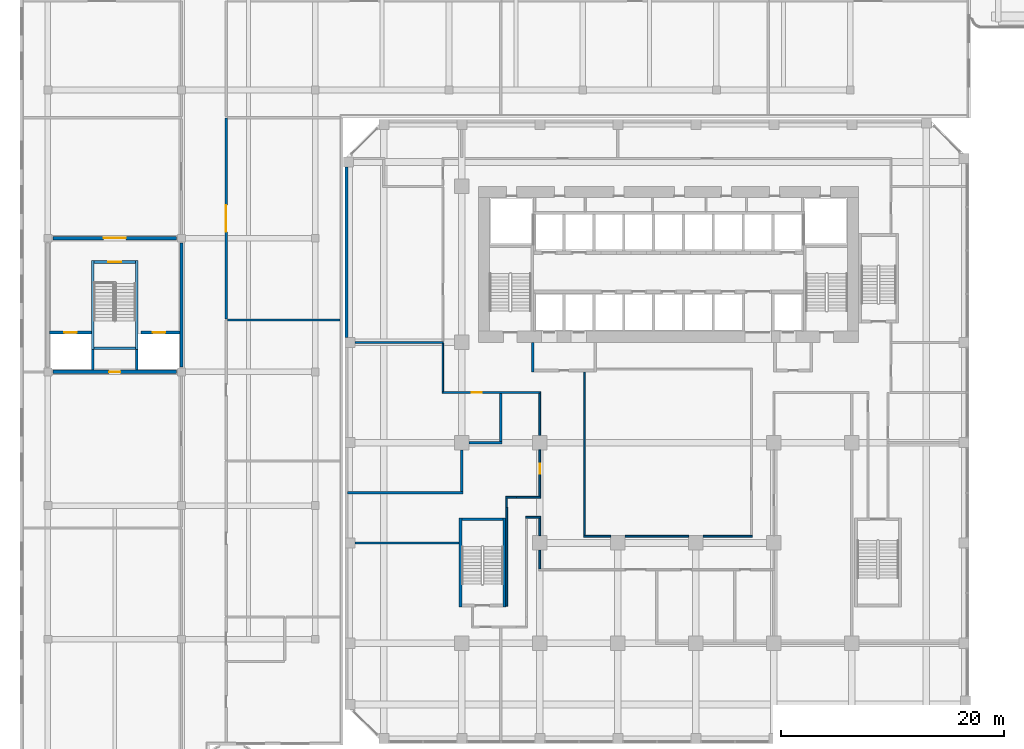
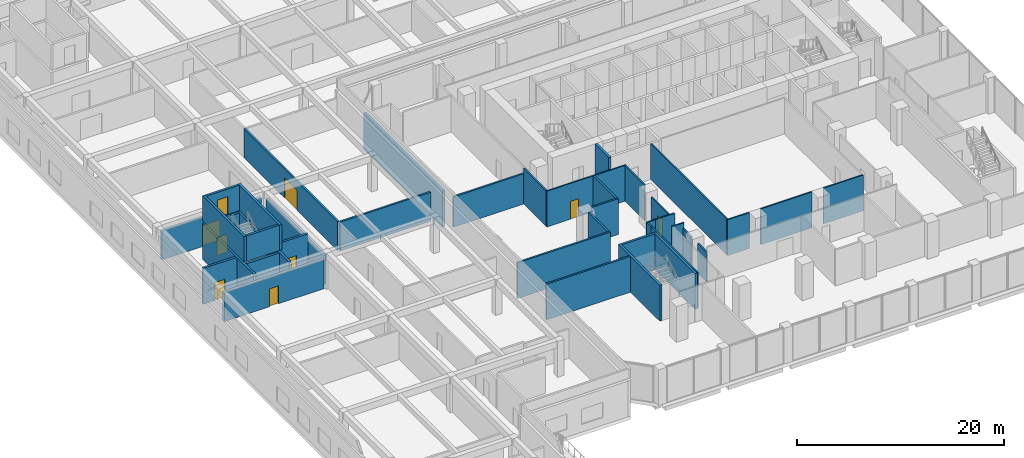
# One storey, part 16 of 35: 41 walls, 9 doors, 9 openings.
"""IFC4 building model written with IfcOpenShell, lengths in metres."""

from ifc_helpers import new_model, si_unit, direction, frame, frame_2d, origin, place, context, subcontext, project, spatial, rectangle, extrude, source, transform, mapped, material, layer, layer_set, type_object, element, fill, save


model = new_model("IFC4")

# Units and contexts
model_context = context("Model", 3, precision=1e-05, world=origin(), true_north=direction((0.0, 1.0)))
body_context = subcontext(model_context, "Body", "Model", "MODEL_VIEW")
ifc_project = project(units=[si_unit("LENGTHUNIT", "METRE"), si_unit("AREAUNIT", "SQUARE_METRE"), si_unit("VOLUMEUNIT", "CUBIC_METRE"), si_unit("PLANEANGLEUNIT", "RADIAN"), si_unit("MASSUNIT", "GRAM", prefix="KILO")], contexts=[model_context])

# Site, building, storey
site_placement = place(None, origin())
site = spatial("IfcSite", under=ifc_project, at=site_placement, CompositionType="ELEMENT")
building_placement = place(site_placement, origin())
building = spatial("IfcBuilding", under=site, at=building_placement, Name="Kilnfold Tower and Market Hall", CompositionType="ELEMENT")
storey_placement = place(building_placement, frame((0.0, 0.0, 22.5)))
storey = spatial("IfcBuildingStorey", under=building, at=storey_placement, Name="L04", CompositionType="ELEMENT", Elevation=22.5)

# Wall, opening, door
ifc_material_1 = material(Name="Gypsum board on steel studs", Category="steel")
ifc_layer_1 = layer(ifc_material_1, 0.14990234375)
ifc_layer_set_1 = layer_set([ifc_layer_1], Name="Gypsum board on steel studs")
wall_type_1 = type_object("IfcWallType", Name="WALL CORRIDOR 150", PredefinedType="PARTITIONING", material=ifc_layer_set_1)
wall_1_placement = place(storey_placement, frame((-19.27490234375, 3.5, 0.0), z_axis=(0.0, 0.0, 1.0), x_axis=(1.0, 0.0, 0.0)))
wall_1 = element("IfcWall", 1, at=wall_1_placement, inside=storey, type_object=wall_type_1, Name="Partition LY05.1", PredefinedType="PARTITIONING", context=body_context, shape_type="SweptSolid", body=[
    extrude(rectangle(XDim=8.849853515625, YDim=0.14990234375, at=frame_2d((4.4248046875, 0.0))), origin(), (0.0, 0.0, 1.0), 4.219970703125),
])
opening_1_placement = place(wall_1_placement, frame((2.652099609375, 0.0, 0.0)))
opening_1 = element("IfcOpeningElement", 2, at=opening_1_placement, cuts=wall_1, Name="Opening D2", PredefinedType="OPENING", context=body_context, shape_type="SweptSolid", body=[
    extrude(rectangle(XDim=0.89990234375, YDim=2.10009765625, at=frame_2d((0.449951171875, 1.050048828125))), frame((0.0, 0.0849609375, 0.0), z_axis=(0.0, -1.0, 0.0), x_axis=(1.0, 0.0, 0.0)), (0.0, 0.0, 1.0), 0.169921875),
])
ifc_material_2 = material(Name="Timber veneer door leaf in steel frame", Category="steel")
door_type_1 = type_object("IfcDoorType", Name="DOOR ROOM 900 X2100", OperationType="NOTDEFINED", PredefinedType="DOOR", material=ifc_material_2)
door_1_placement = place(opening_1_placement, origin())
door_1 = element("IfcDoor", 3, at=door_1_placement, inside=storey, type_object=door_type_1, Name="Door D2", OperationType="SINGLE_SWING_LEFT", OverallHeight=2.10009765625, OverallWidth=0.89990234375, PredefinedType="DOOR", context=body_context, shape_type="SweptSolid", body=[
    extrude(rectangle(XDim=0.89990234375, YDim=2.10009765625, at=frame_2d((0.449951171875, 1.050048828125))), frame((0.0, 0.02490234375, 0.0), z_axis=(0.0, -1.0, 0.0), x_axis=(1.0, 0.0, 0.0)), (0.0, 0.0, 1.0), 0.050048828125),
])
fill(opening_1, door_1)

# Walls
wall_2_placement = place(storey_placement, frame((-19.199951171875, 3.574951171875, 0.0), z_axis=(0.0, 0.0, 1.0), x_axis=(0.0, 1.0, 0.0)))
element("IfcWall", 4, at=wall_2_placement, inside=storey, type_object=wall_type_1, Name="Partition LY05.2", PredefinedType="PARTITIONING", context=body_context, shape_type="SweptSolid", body=[
    extrude(rectangle(XDim=4.3349609375, YDim=0.14990234375, at=frame_2d((2.16748046875, 0.0))), origin(), (0.0, 0.0, 1.0), 4.219970703125),
])
wall_3_placement = place(storey_placement, frame((-12.597900390625, -5.89794921875, 0.0), z_axis=(0.0, 0.0, 1.0), x_axis=(-1.0, 0.0, 0.0)))
element("IfcWall", 5, at=wall_3_placement, inside=storey, type_object=wall_type_1, Name="Partition LY05.3", PredefinedType="PARTITIONING", context=body_context, shape_type="SweptSolid", body=[
    extrude(rectangle(XDim=0.97900390625, YDim=0.14990234375, at=frame_2d((0.489501953125, 0.0))), origin(), (0.0, 0.0, 1.0), 4.219970703125),
])
wall_4_placement = place(storey_placement, frame((-10.425048828125, -5.89990234375, 0.0), z_axis=(0.0, 0.0, 1.0), x_axis=(-1.0, 0.0, 0.0)))
element("IfcWall", 6, at=wall_4_placement, inside=storey, type_object=wall_type_1, Name="Partition LY05.4", PredefinedType="PARTITIONING", context=body_context, shape_type="SweptSolid", body=[
    extrude(rectangle(XDim=2.1728515625, YDim=0.14990234375, at=frame_2d((1.08642578125, 0.0))), origin(), (0.0, 0.0, 1.0), 4.219970703125),
])

# Wall, opening, door
wall_5_placement = place(storey_placement, frame((-10.5, -5.824951171875, 0.0), z_axis=(0.0, 0.0, 1.0), x_axis=(0.0, 1.0, 0.0)))
wall_5 = element("IfcWall", 7, at=wall_5_placement, inside=storey, type_object=wall_type_1, Name="Partition LY05.5", PredefinedType="PARTITIONING", context=body_context, shape_type="SweptSolid", body=[
    extrude(rectangle(XDim=4.175048828125, YDim=0.14990234375, at=frame_2d((2.08740234375, 0.0))), origin(), (0.0, 0.0, 1.0), 3.570068359375),
])
opening_2_placement = place(wall_5_placement, frame((2.048095703125, 0.0, 0.0)))
opening_2 = element("IfcOpeningElement", 8, at=opening_2_placement, cuts=wall_5, Name="Opening D2", PredefinedType="OPENING", context=body_context, shape_type="SweptSolid", body=[
    extrude(rectangle(XDim=0.89990234375, YDim=2.10009765625, at=frame_2d((0.449951171875, 1.050048828125))), frame((0.0, 0.0849609375, 0.0), z_axis=(0.0, -1.0, 0.0), x_axis=(1.0, 0.0, 0.0)), (0.0, 0.0, 1.0), 0.169921875),
])
door_2_placement = place(opening_2_placement, origin())
door_2 = element("IfcDoor", 9, at=door_2_placement, inside=storey, type_object=door_type_1, Name="Door D2", OperationType="SINGLE_SWING_LEFT", OverallHeight=2.10009765625, OverallWidth=0.89990234375, PredefinedType="DOOR", context=body_context, shape_type="SweptSolid", body=[
    extrude(rectangle(XDim=0.89990234375, YDim=2.10009765625, at=frame_2d((0.449951171875, 1.050048828125))), frame((0.0, 0.02490234375, 0.0), z_axis=(0.0, -1.0, 0.0), x_axis=(1.0, 0.0, 0.0)), (0.0, 0.0, 1.0), 0.050048828125),
])
fill(opening_2, door_2)

# Walls
wall_6_placement = place(storey_placement, frame((-10.5, -0.35009765625, 0.0), z_axis=(0.0, 0.0, 1.0), x_axis=(0.0, 1.0, 0.0)))
element("IfcWall", 10, at=wall_6_placement, inside=storey, type_object=wall_type_1, Name="Partition LY05.6", PredefinedType="PARTITIONING", context=body_context, shape_type="SweptSolid", body=[
    extrude(rectangle(XDim=3.775146484375, YDim=0.14990234375, at=frame_2d((1.8876953125, 0.0))), origin(), (0.0, 0.0, 1.0), 4.219970703125),
])
wall_7_placement = place(storey_placement, frame((-13.469970703125, -6.802001953125, 0.0), z_axis=(0.0, 0.0, 1.0), x_axis=(0.0, -1.0, 0.0)))
element("IfcWall", 11, at=wall_7_placement, inside=storey, type_object=wall_type_1, Name="Partition LY05.7", PredefinedType="PARTITIONING", context=body_context, shape_type="SweptSolid", body=[
    extrude(rectangle(XDim=8.873046875, YDim=0.14990234375, at=frame_2d((4.4365234375, 0.0))), origin(), (0.0, 0.0, 1.0), 4.219970703125),
])
wall_8_placement = place(storey_placement, frame((-13.501953125, -5.972900390625, 0.0), z_axis=(0.0, 0.0, 1.0), x_axis=(0.0, -1.0, 0.0)))
element("IfcWall", 12, at=wall_8_placement, inside=storey, type_object=wall_type_1, Name="Partition LY05.8", PredefinedType="PARTITIONING", context=body_context, shape_type="SweptSolid", body=[
    extrude(rectangle(XDim=0.8291015625, YDim=0.14990234375, at=frame_2d((0.41455078125, 0.0))), origin(), (0.0, 0.0, 1.0), 4.219970703125),
])
wall_9_placement = place(storey_placement, frame((-10.5, -12.324951171875, 0.0), z_axis=(0.0, 0.0, 1.0), x_axis=(0.0, 1.0, 0.0)))
element("IfcWall", 13, at=wall_9_placement, inside=storey, type_object=wall_type_1, Name="Partition LY05.10", PredefinedType="PARTITIONING", context=body_context, shape_type="SweptSolid", body=[
    extrude(rectangle(XDim=1.675048828125, YDim=0.14990234375, at=frame_2d((0.83740234375, 0.0))), origin(), (0.0, 0.0, 1.0), 3.570068359375),
])
wall_10_placement = place(storey_placement, frame((-10.5, -9.35009765625, 0.0), z_axis=(0.0, 0.0, 1.0), x_axis=(0.0, 1.0, 0.0)))
element("IfcWall", 14, at=wall_10_placement, inside=storey, type_object=wall_type_1, Name="Partition LY05.11", PredefinedType="PARTITIONING", context=body_context, shape_type="SweptSolid", body=[
    extrude(rectangle(XDim=1.5751953125, YDim=0.14990234375, at=frame_2d((0.78759765625, 0.0))), origin(), (0.0, 0.0, 1.0), 3.570068359375),
])
wall_11_placement = place(storey_placement, frame((-11.77490234375, -7.699951171875, 0.0), z_axis=(0.0, 0.0, 1.0), x_axis=(1.0, 0.0, 0.0)))
element("IfcWall", 15, at=wall_11_placement, inside=storey, type_object=wall_type_1, Name="Partition LY05.12", PredefinedType="PARTITIONING", context=body_context, shape_type="SweptSolid", body=[
    extrude(rectangle(XDim=1.349853515625, YDim=0.14990234375, at=frame_2d((0.6748046875, 0.0))), origin(), (0.0, 0.0, 1.0), 4.219970703125),
])
wall_12_placement = place(storey_placement, frame((-6.5, -9.324951171875, 0.0), z_axis=(0.0, 0.0, 1.0), x_axis=(0.0, 1.0, 0.0)))
element("IfcWall", 16, at=wall_12_placement, inside=storey, type_object=wall_type_1, Name="Partition LY05.32", PredefinedType="PARTITIONING", context=body_context, shape_type="SweptSolid", body=[
    extrude(rectangle(XDim=14.675048828125, YDim=0.14990234375, at=frame_2d((7.33740234375, 0.0))), origin(), (0.0, 0.0, 1.0), 4.219970703125),
])
wall_13_placement = place(storey_placement, frame((-6.574951171875, -9.39990234375, 0.0), z_axis=(0.0, 0.0, 1.0), x_axis=(1.0, 0.0, 0.0)))
element("IfcWall", 17, at=wall_13_placement, inside=storey, type_object=wall_type_1, Name="Partition LY05.33", PredefinedType="PARTITIONING", context=body_context, shape_type="SweptSolid", body=[
    extrude(rectangle(XDim=2.425048828125, YDim=0.14990234375, at=frame_2d((1.21240234375, 0.0))), origin(), (0.0, 0.0, 1.0), 4.219970703125),
])
wall_14_placement = place(storey_placement, frame((-2.85009765625, -9.39990234375, 0.0), z_axis=(0.0, 0.0, 1.0), x_axis=(1.0, 0.0, 0.0)))
element("IfcWall", 18, at=wall_14_placement, inside=storey, type_object=wall_type_1, Name="Partition LY05.34", PredefinedType="PARTITIONING", context=body_context, shape_type="SweptSolid", body=[
    extrude(rectangle(XDim=5.7001953125, YDim=0.14990234375, at=frame_2d((2.85009765625, 0.0))), origin(), (0.0, 0.0, 1.0), 4.219970703125),
])
wall_15_placement = place(storey_placement, frame((4.14990234375, -9.39990234375, 0.0), z_axis=(0.0, 0.0, 1.0), x_axis=(1.0, 0.0, 0.0)))
element("IfcWall", 19, at=wall_15_placement, inside=storey, type_object=wall_type_1, Name="Partition LY05.35", PredefinedType="PARTITIONING", context=body_context, shape_type="SweptSolid", body=[
    extrude(rectangle(XDim=4.425048828125, YDim=0.14990234375, at=frame_2d((2.21240234375, 0.0))), origin(), (0.0, 0.0, 1.0), 4.219970703125),
])
ifc_material_3 = material(Name="Gypsum board on steel studs", Category="steel")
ifc_layer_2 = layer(ifc_material_3, 0.199951171875)
ifc_layer_set_2 = layer_set([ifc_layer_2], Name="Gypsum board on steel studs")
wall_type_2 = type_object("IfcWallType", Name="WALL PARTY 200", PredefinedType="PARTITIONING", material=ifc_layer_set_2)
wall_16_placement = place(storey_placement, frame((-14.0, -0.89990234375, 0.0), z_axis=(0.0, 0.0, 1.0), x_axis=(0.0, 1.0, 0.0)))
element("IfcWall", 20, at=wall_16_placement, inside=storey, type_object=wall_type_2, Name="Partition LY05.38", PredefinedType="PARTITIONING", context=body_context, shape_type="SweptSolid", body=[
    extrude(rectangle(XDim=4.323974609375, YDim=0.199951171875, at=frame_2d((2.162109375, 0.0))), origin(), (0.0, 0.0, 1.0), 4.219970703125),
])
wall_17_placement = place(storey_placement, frame((-16.85009765625, -1.0, 0.0), z_axis=(0.0, 0.0, 1.0), x_axis=(1.0, 0.0, 0.0)))
element("IfcWall", 21, at=wall_17_placement, inside=storey, type_object=wall_type_2, Name="Partition LY05.39", PredefinedType="PARTITIONING", context=body_context, shape_type="SweptSolid", body=[
    extrude(rectangle(XDim=2.9501953125, YDim=0.199951171875, at=frame_2d((1.47509765625, 0.0))), origin(), (0.0, 0.0, 1.0), 4.219970703125),
])
wall_18_placement = place(storey_placement, frame((-17.5, -5.39990234375, 0.0), z_axis=(0.0, 0.0, 1.0), x_axis=(0.0, 1.0, 0.0)))
element("IfcWall", 22, at=wall_18_placement, inside=storey, type_object=wall_type_2, Name="Partition LY05.40", PredefinedType="PARTITIONING", context=body_context, shape_type="SweptSolid", body=[
    extrude(rectangle(XDim=3.75, YDim=0.199951171875, at=frame_2d((1.875, 0.0))), origin(), (0.0, 0.0, 1.0), 4.219970703125),
])
wall_19_placement = place(storey_placement, frame((-27.75, -5.5, 0.0), z_axis=(0.0, 0.0, 1.0), x_axis=(1.0, 0.0, 0.0)))
element("IfcWall", 23, at=wall_19_placement, inside=storey, type_object=wall_type_2, Name="Partition LY05.41", PredefinedType="PARTITIONING", context=body_context, shape_type="SweptSolid", body=[
    extrude(rectangle(XDim=10.35009765625, YDim=0.199951171875, at=frame_2d((5.175048828125, 0.0))), origin(), (0.0, 0.0, 1.0), 4.219970703125),
])
wall_20_placement = place(storey_placement, frame((-27.10009765625, 8.0, 0.0), z_axis=(0.0, 0.0, 1.0), x_axis=(1.0, 0.0, 0.0)))
element("IfcWall", 24, at=wall_20_placement, inside=storey, type_object=wall_type_2, Name="Partition LY05.42", PredefinedType="PARTITIONING", context=body_context, shape_type="SweptSolid", body=[
    extrude(rectangle(XDim=7.97412109375, YDim=0.199951171875, at=frame_2d((3.987060546875, 0.0))), origin(), (0.0, 0.0, 1.0), 3.570068359375),
])
wall_21_placement = place(storey_placement, frame((-27.10009765625, -10.0, 0.0), z_axis=(0.0, 0.0, 1.0), x_axis=(1.0, 0.0, 0.0)))
element("IfcWall", 25, at=wall_21_placement, inside=storey, type_object=wall_type_2, Name="Partition LY05.43", PredefinedType="PARTITIONING", context=body_context, shape_type="SweptSolid", body=[
    extrude(rectangle(XDim=9.35009765625, YDim=0.199951171875, at=frame_2d((4.675048828125, 0.0))), origin(), (0.0, 0.0, 1.0), 4.219970703125),
])
ifc_material_4 = material(Name="Concrete C80", Category="concrete")
ifc_layer_3 = layer(ifc_material_4, 0.25)
ifc_layer_set_3 = layer_set([ifc_layer_3], Name="Concrete C80")
wall_type_3 = type_object("IfcWallType", Name="CORE WALL 250 C80", PredefinedType="SHEAR", material=ifc_layer_set_3)
shared_shape_1 = source(origin(), body_context, "Body", "SweptSolid", [
    extrude(rectangle(XDim=3.699951171875, YDim=0.25, at=frame_2d((1.85009765625, 0.0))), origin(), (0.0, 0.0, 1.0), 4.219970703125),
])
wall_22_placement = place(storey_placement, frame((-17.5, -7.875, 0.0), z_axis=(0.0, 0.0, 1.0), x_axis=(1.0, 0.0, 0.0)))
element("IfcWall", 26, at=wall_22_placement, inside=storey, type_object=wall_type_3, Name="Stair enclosure ST3", PredefinedType="SHEAR", context=body_context, shape_type="MappedRepresentation", body=[
    mapped(shared_shape_1, transform((0.0, 0.0, 0.0))),
])
ifc_material_5 = material(Name="Concrete C50/60", Category="concrete")
ifc_layer_4 = layer(ifc_material_5, 0.25)
ifc_layer_set_4 = layer_set([ifc_layer_4], Name="Concrete C50/60")
wall_type_4 = type_object("IfcWallType", Name="HALL CORE WALL 250", PredefinedType="SHEAR", material=ifc_layer_set_4)
wall_23_placement = place(storey_placement, frame((-50.5, 7.47509765625, 0.0), z_axis=(0.0, 0.0, 1.0), x_axis=(1.0, 0.0, 0.0)))
element("IfcWall", 27, at=wall_23_placement, inside=storey, type_object=wall_type_4, Name="Core wall MH1", PredefinedType="SHEAR", context=body_context, shape_type="MappedRepresentation", body=[
    mapped(shared_shape_1, transform((0.0, 0.0, 0.0))),
])

# Wall, opening, door
wall_24_placement = place(storey_placement, frame((-50.5, 15.22509765625, 0.0), z_axis=(0.0, 0.0, 1.0), x_axis=(1.0, 0.0, 0.0)))
wall_24 = element("IfcWall", 28, at=wall_24_placement, inside=storey, type_object=wall_type_4, Name="Core wall MH1", PredefinedType="SHEAR", context=body_context, shape_type="MappedRepresentation", body=[
    mapped(shared_shape_1, transform((0.0, 0.0, 0.0))),
])
opening_3_placement = place(wall_24_placement, frame((1.25, 0.0, 0.0)))
opening_3 = element("IfcOpeningElement", 29, at=opening_3_placement, cuts=wall_24, Name="Opening MD9-60", PredefinedType="OPENING", context=body_context, shape_type="SweptSolid", body=[
    extrude(rectangle(XDim=1.199951171875, YDim=2.10009765625, at=frame_2d((0.60009765625, 1.050048828125))), frame((0.0, 0.135009765625, 0.0), z_axis=(0.0, -1.0, 0.0), x_axis=(1.0, 0.0, 0.0)), (0.0, 0.0, 1.0), 0.27001953125),
])
ifc_material_6 = material(Name="Steel S355", Category="steel")
door_type_2 = type_object("IfcDoorType", Name="HALL DOOR STAIR 1200X2100 FD60", OperationType="NOTDEFINED", PredefinedType="DOOR", material=ifc_material_6)
door_3_placement = place(opening_3_placement, origin())
door_3 = element("IfcDoor", 30, at=door_3_placement, inside=storey, type_object=door_type_2, Name="Door MD9-60", OperationType="DOUBLE_DOOR_SINGLE_SWING", OverallHeight=2.10009765625, OverallWidth=1.199951171875, PredefinedType="DOOR", context=body_context, shape_type="SweptSolid", body=[
    extrude(rectangle(XDim=1.199951171875, YDim=2.10009765625, at=frame_2d((0.60009765625, 1.050048828125))), frame((0.0, 0.02490234375, 0.0), z_axis=(0.0, -1.0, 0.0), x_axis=(1.0, 0.0, 0.0)), (0.0, 0.0, 1.0), 0.050048828125),
])
fill(opening_3, door_3)

# Walls
shared_shape_2 = source(origin(), body_context, "Body", "SweptSolid", [
    extrude(rectangle(XDim=8.0, YDim=0.25, at=frame_2d((4.0, 0.0))), origin(), (0.0, 0.0, 1.0), 4.219970703125),
])
for number, where, z_axis, x_axis, name in (
    (31, (-17.625, -15.75, 0.0), (0.0, 0.0, 1.0), (0.0, 1.0, 0.0), "Stair enclosure ST3"),
    (32, (-13.675048828125, -15.75, 0.0), (0.0, 0.0, 1.0), (0.0, 1.0, 0.0), "Stair enclosure ST3"),
):
    element("IfcWall", number, at=place(storey_placement, frame(where, z_axis=z_axis, x_axis=x_axis)), inside=storey, type_object=wall_type_3, Name=name, PredefinedType="SHEAR", context=body_context, shape_type="MappedRepresentation", body=[
        mapped(shared_shape_2, transform((0.0, 0.0, 0.0))),
    ])

# Wall, opening, door
ifc_material_7 = material(Name="Concrete C50/60", Category="concrete")
ifc_layer_5 = layer(ifc_material_7, 0.300048828125)
ifc_layer_set_5 = layer_set([ifc_layer_5], Name="Concrete C50/60")
wall_type_5 = type_object("IfcWallType", Name="HALL CORE WALL 300", PredefinedType="SHEAR", material=ifc_layer_set_5)
shared_shape_3 = source(origin(), body_context, "Body", "SweptSolid", [
    extrude(rectangle(XDim=11.099853515625, YDim=0.300048828125, at=frame_2d((5.5498046875, 0.0))), origin(), (0.0, 0.0, 1.0), 3.419921875),
])
wall_25_placement = place(storey_placement, frame((-54.199951171875, 5.35009765625, 0.0), z_axis=(0.0, 0.0, 1.0), x_axis=(1.0, 0.0, 0.0)))
wall_25 = element("IfcWall", 33, at=wall_25_placement, inside=storey, type_object=wall_type_5, Name="Core wall MH1", PredefinedType="SHEAR", context=body_context, shape_type="MappedRepresentation", body=[
    mapped(shared_shape_3, transform((0.0, 0.0, 0.0))),
])
opening_4_placement = place(wall_25_placement, frame((5.050048828125, 0.0, 0.0)))
opening_4 = element("IfcOpeningElement", 34, at=opening_4_placement, cuts=wall_25, Name="Opening MD4-60", PredefinedType="OPENING", context=body_context, shape_type="SweptSolid", body=[
    extrude(rectangle(XDim=1.0, YDim=2.10009765625, at=frame_2d((0.5, 1.050048828125))), frame((0.0, 0.16015625, 0.0), z_axis=(0.0, -1.0, 0.0), x_axis=(1.0, 0.0, 0.0)), (0.0, 0.0, 1.0), 0.320068359375),
])
ifc_material_8 = material(Name="Steel S355", Category="steel")
door_type_3 = type_object("IfcDoorType", Name="HALL DOOR RISER 1000X2100 FD60", OperationType="NOTDEFINED", PredefinedType="DOOR", material=ifc_material_8)
door_4_placement = place(opening_4_placement, origin())
door_4 = element("IfcDoor", 35, at=door_4_placement, inside=storey, type_object=door_type_3, Name="Door MD4-60", OperationType="SINGLE_SWING_RIGHT", OverallHeight=2.10009765625, OverallWidth=1.0, PredefinedType="DOOR", context=body_context, shape_type="SweptSolid", body=[
    extrude(rectangle(XDim=1.0, YDim=2.10009765625, at=frame_2d((0.5, 1.050048828125))), frame((0.0, 0.02490234375, 0.0), z_axis=(0.0, -1.0, 0.0), x_axis=(1.0, 0.0, 0.0)), (0.0, 0.0, 1.0), 0.050048828125),
])
fill(opening_4, door_4)

wall_26_placement = place(storey_placement, frame((-54.199951171875, 17.35009765625, 0.0), z_axis=(0.0, 0.0, 1.0), x_axis=(1.0, 0.0, 0.0)))
wall_26 = element("IfcWall", 36, at=wall_26_placement, inside=storey, type_object=wall_type_5, Name="Core wall MH1", PredefinedType="SHEAR", context=body_context, shape_type="MappedRepresentation", body=[
    mapped(shared_shape_3, transform((0.0, 0.0, 0.0))),
])
opening_5_placement = place(wall_26_placement, frame((4.550048828125, 0.0, 0.0)))
opening_5 = element("IfcOpeningElement", 37, at=opening_5_placement, cuts=wall_26, Name="Opening MD10-60", PredefinedType="OPENING", context=body_context, shape_type="SweptSolid", body=[
    extrude(rectangle(XDim=2.0, YDim=2.39990234375, at=frame_2d((1.0, 1.199951171875))), frame((0.0, 0.16015625, 0.0), z_axis=(0.0, -1.0, 0.0), x_axis=(1.0, 0.0, 0.0)), (0.0, 0.0, 1.0), 0.320068359375),
])
ifc_material_9 = material(Name="Aluminium glazing", Category="aluminium")
door_type_4 = type_object("IfcDoorType", Name="HALL DOOR LOBBY 2000X2400 FD60", OperationType="NOTDEFINED", PredefinedType="DOOR", material=ifc_material_9)
door_5_placement = place(opening_5_placement, origin())
door_5 = element("IfcDoor", 38, at=door_5_placement, inside=storey, type_object=door_type_4, Name="Door MD10-60", OperationType="DOUBLE_DOOR_SINGLE_SWING", OverallHeight=2.39990234375, OverallWidth=2.0, PredefinedType="DOOR", context=body_context, shape_type="SweptSolid", body=[
    extrude(rectangle(XDim=2.0, YDim=2.39990234375, at=frame_2d((1.0, 1.199951171875))), frame((0.0, 0.02490234375, 0.0), z_axis=(0.0, -1.0, 0.0), x_axis=(1.0, 0.0, 0.0)), (0.0, 0.0, 1.0), 0.050048828125),
])
fill(opening_5, door_5)

# Walls
wall_27_placement = place(storey_placement, frame((-42.64990234375, 5.800048828125, 0.0), z_axis=(0.0, 0.0, 1.0), x_axis=(0.0, 1.0, 0.0)))
element("IfcWall", 39, at=wall_27_placement, inside=storey, type_object=wall_type_5, Name="Core wall MH1", PredefinedType="SHEAR", context=body_context, shape_type="MappedRepresentation", body=[
    mapped(shared_shape_3, transform((0.0, 0.0, 0.0))),
])
shared_shape_4 = source(origin(), body_context, "Body", "SweptSolid", [
    extrude(rectangle(XDim=9.85009765625, YDim=0.25, at=frame_2d((4.925048828125, 0.0))), origin(), (0.0, 0.0, 1.0), 4.219970703125),
])
for number, where, z_axis, x_axis, name in (
    (40, (-50.625, 5.5, 0.0), (0.0, 0.0, 1.0), (0.0, 1.0, 0.0), "Core wall MH1"),
    (41, (-46.675048828125, 5.5, 0.0), (0.0, 0.0, 1.0), (0.0, 1.0, 0.0), "Core wall MH1"),
):
    element("IfcWall", number, at=place(storey_placement, frame(where, z_axis=z_axis, x_axis=x_axis)), inside=storey, type_object=wall_type_4, Name=name, PredefinedType="SHEAR", context=body_context, shape_type="MappedRepresentation", body=[
        mapped(shared_shape_4, transform((0.0, 0.0, 0.0))),
    ])

# Wall, opening, door
shared_shape_5 = source(origin(), body_context, "Body", "SweptSolid", [
    extrude(rectangle(XDim=3.75, YDim=0.25, at=frame_2d((1.875, 0.0))), origin(), (0.0, 0.0, 1.0), 4.219970703125),
])
wall_28_placement = place(storey_placement, frame((-54.5, 8.875, 0.0), z_axis=(0.0, 0.0, 1.0), x_axis=(1.0, 0.0, 0.0)))
wall_28 = element("IfcWall", 42, at=wall_28_placement, inside=storey, type_object=wall_type_4, Name="Core wall MH1", PredefinedType="SHEAR", context=body_context, shape_type="MappedRepresentation", body=[
    mapped(shared_shape_5, transform((0.0, 0.0, 0.0))),
])
opening_6_placement = place(wall_28_placement, frame((1.324951171875, 0.0, 0.0)))
opening_6 = element("IfcOpeningElement", 43, at=opening_6_placement, cuts=wall_28, Name="Opening LD", PredefinedType="OPENING", context=body_context, shape_type="SweptSolid", body=[
    extrude(rectangle(XDim=1.10009765625, YDim=2.10009765625, at=frame_2d((0.550048828125, 1.050048828125))), frame((0.0, 0.135009765625, 0.0), z_axis=(0.0, -1.0, 0.0), x_axis=(1.0, 0.0, 0.0)), (0.0, 0.0, 1.0), 0.27001953125),
])
ifc_material_10 = material(Name="Steel S355", Category="steel")
door_type_5 = type_object("IfcDoorType", Name="HALL LANDING DOOR 1100X2100 FD60", OperationType="NOTDEFINED", PredefinedType="DOOR", material=ifc_material_10)
door_6_placement = place(opening_6_placement, origin())
door_6 = element("IfcDoor", 44, at=door_6_placement, inside=storey, type_object=door_type_5, Name="Door LD", OperationType="SLIDING_TO_LEFT", OverallHeight=2.10009765625, OverallWidth=1.10009765625, PredefinedType="DOOR", context=body_context, shape_type="SweptSolid", body=[
    extrude(rectangle(XDim=1.10009765625, YDim=2.10009765625, at=frame_2d((0.550048828125, 1.050048828125))), frame((0.0, 0.02490234375, 0.0), z_axis=(0.0, -1.0, 0.0), x_axis=(1.0, 0.0, 0.0)), (0.0, 0.0, 1.0), 0.050048828125),
])
fill(opening_6, door_6)

shared_shape_6 = source(origin(), body_context, "Body", "SweptSolid", [
    extrude(rectangle(XDim=3.5, YDim=0.25, at=frame_2d((1.75, 0.0))), origin(), (0.0, 0.0, 1.0), 4.219970703125),
])
wall_29_placement = place(storey_placement, frame((-46.300048828125, 8.875, 0.0), z_axis=(0.0, 0.0, 1.0), x_axis=(1.0, 0.0, 0.0)))
wall_29 = element("IfcWall", 45, at=wall_29_placement, inside=storey, type_object=wall_type_4, Name="Core wall MH1", PredefinedType="SHEAR", context=body_context, shape_type="MappedRepresentation", body=[
    mapped(shared_shape_6, transform((0.0, 0.0, 0.0))),
])
opening_7_placement = place(wall_29_placement, frame((1.074951171875, 0.0, 0.0)))
opening_7 = element("IfcOpeningElement", 46, at=opening_7_placement, cuts=wall_29, Name="Opening LD", PredefinedType="OPENING", context=body_context, shape_type="SweptSolid", body=[
    extrude(rectangle(XDim=1.10009765625, YDim=2.10009765625, at=frame_2d((0.550048828125, 1.050048828125))), frame((0.0, 0.135009765625, 0.0), z_axis=(0.0, -1.0, 0.0), x_axis=(1.0, 0.0, 0.0)), (0.0, 0.0, 1.0), 0.27001953125),
])
door_7_placement = place(opening_7_placement, origin())
door_7 = element("IfcDoor", 47, at=door_7_placement, inside=storey, type_object=door_type_5, Name="Door LD", OperationType="SLIDING_TO_LEFT", OverallHeight=2.10009765625, OverallWidth=1.10009765625, PredefinedType="DOOR", context=body_context, shape_type="SweptSolid", body=[
    extrude(rectangle(XDim=1.10009765625, YDim=2.10009765625, at=frame_2d((0.550048828125, 1.050048828125))), frame((0.0, 0.02490234375, 0.0), z_axis=(0.0, -1.0, 0.0), x_axis=(1.0, 0.0, 0.0)), (0.0, 0.0, 1.0), 0.050048828125),
])
fill(opening_7, door_7)

# Walls
ifc_material_11 = material(Name="Precast concrete C50/60", Category="concrete")
ifc_layer_6 = layer(ifc_material_11, 0.300048828125)
ifc_layer_set_6 = layer_set([ifc_layer_6], Name="Precast concrete C50/60")
wall_type_6 = type_object("IfcWallType", Name="PRECAST WALL 300", PredefinedType="SOLIDWALL", material=ifc_layer_set_6)
shared_shape_7 = source(origin(), body_context, "Body", "SweptSolid", [
    extrude(rectangle(XDim=15.28173828125, YDim=0.300048828125, at=frame_2d((7.640869140625, 0.0))), origin(), (0.0, 0.0, 1.0), 4.219970703125),
])
wall_30_placement = place(storey_placement, frame((-27.85009765625, 23.731689453125, 0.0), z_axis=(0.0, 0.0, 1.0), x_axis=(0.0, -1.0, 0.0)))
element("IfcWall", 48, at=wall_30_placement, inside=storey, type_object=wall_type_6, Name="Party wall L04 W", PredefinedType="SOLIDWALL", context=body_context, shape_type="MappedRepresentation", body=[
    mapped(shared_shape_7, transform((0.0, 0.0, 0.0))),
])
ifc_material_12 = material(Name="Concrete C50/60", Category="concrete")
ifc_layer_7 = layer(ifc_material_12, 0.25)
ifc_layer_set_7 = layer_set([ifc_layer_7], Name="Concrete C50/60")
wall_type_7 = type_object("IfcWallType", Name="HEADHOUSE WALL 250", PredefinedType="SOLIDWALL", material=ifc_layer_set_7)
shared_shape_8 = source(origin(), body_context, "Body", "SweptSolid", [
    extrude(rectangle(XDim=8.0, YDim=0.25, at=frame_2d((4.0, 0.0))), origin(), (0.0, 0.0, 1.0), 3.0),
])
for number, where, z_axis, x_axis, name in (
    (49, (-50.625, 7.35009765625, 4.5), (0.0, 0.0, 1.0), (0.0, 1.0, 0.0), "Stair head-house wall MS2"),
    (50, (-46.675048828125, 7.35009765625, 4.5), (0.0, 0.0, 1.0), (0.0, 1.0, 0.0), "Stair head-house wall MS2"),
):
    element("IfcWall", number, at=place(storey_placement, frame(where, z_axis=z_axis, x_axis=x_axis)), inside=storey, type_object=wall_type_7, Name=name, PredefinedType="SOLIDWALL", context=body_context, shape_type="MappedRepresentation", body=[
        mapped(shared_shape_8, transform((0.0, 0.0, 0.0))),
    ])
shared_shape_9 = source(origin(), body_context, "Body", "SweptSolid", [
    extrude(rectangle(XDim=3.699951171875, YDim=0.25, at=frame_2d((1.85009765625, 0.0))), origin(), (0.0, 0.0, 1.0), 3.0),
])
wall_31_placement = place(storey_placement, frame((-50.5, 7.47509765625, 4.5), z_axis=(0.0, 0.0, 1.0), x_axis=(1.0, 0.0, 0.0)))
element("IfcWall", 51, at=wall_31_placement, inside=storey, type_object=wall_type_7, Name="Stair head-house wall MS2", PredefinedType="SOLIDWALL", context=body_context, shape_type="MappedRepresentation", body=[
    mapped(shared_shape_9, transform((0.0, 0.0, 0.0))),
])

# Wall, opening, door
wall_32_placement = place(storey_placement, frame((-50.5, 15.22509765625, 4.5), z_axis=(0.0, 0.0, 1.0), x_axis=(1.0, 0.0, 0.0)))
wall_32 = element("IfcWall", 52, at=wall_32_placement, inside=storey, type_object=wall_type_7, Name="Stair head-house wall MS2", PredefinedType="SOLIDWALL", context=body_context, shape_type="MappedRepresentation", body=[
    mapped(shared_shape_9, transform((0.0, 0.0, 0.0))),
])
opening_8_placement = place(wall_32_placement, frame((1.25, 0.0, 0.0)))
opening_8 = element("IfcOpeningElement", 53, at=opening_8_placement, cuts=wall_32, Name="Opening MED4", PredefinedType="OPENING", context=body_context, shape_type="SweptSolid", body=[
    extrude(rectangle(XDim=1.199951171875, YDim=2.10009765625, at=frame_2d((0.60009765625, 1.050048828125))), frame((0.0, 0.135009765625, 0.0), z_axis=(0.0, -1.0, 0.0), x_axis=(1.0, 0.0, 0.0)), (0.0, 0.0, 1.0), 0.27001953125),
])
ifc_material_13 = material(Name="Steel S355", Category="steel")
door_type_6 = type_object("IfcDoorType", Name="HEADHOUSE DOOR 1200X2100 FD60", OperationType="NOTDEFINED", PredefinedType="DOOR", material=ifc_material_13)
door_8_placement = place(opening_8_placement, origin())
door_8 = element("IfcDoor", 54, at=door_8_placement, inside=storey, type_object=door_type_6, Name="Head-house door", OperationType="DOUBLE_DOOR_SINGLE_SWING", OverallHeight=2.10009765625, OverallWidth=1.199951171875, PredefinedType="DOOR", context=body_context, shape_type="SweptSolid", body=[
    extrude(rectangle(XDim=1.199951171875, YDim=2.10009765625, at=frame_2d((0.60009765625, 1.050048828125))), frame((0.0, 0.02490234375, 0.0), z_axis=(0.0, -1.0, 0.0), x_axis=(1.0, 0.0, 0.0)), (0.0, 0.0, 1.0), 0.050048828125),
])
fill(opening_8, door_8)

# Walls
ifc_material_14 = material(Name="Gypsum shaft wall system")
ifc_layer_8 = layer(ifc_material_14, 0.25)
ifc_layer_set_8 = layer_set([ifc_layer_8], Name="Gypsum shaft wall system")
wall_type_8 = type_object("IfcWallType", Name="LOBBY WALL 250", PredefinedType="PARTITIONING", material=ifc_layer_set_8)
shared_shape_10 = source(origin(), body_context, "Body", "SweptSolid", [
    extrude(rectangle(XDim=2.64990234375, YDim=0.25, at=frame_2d((1.324951171875, 0.0))), origin(), (0.0, 0.0, 1.0), 4.219970703125),
])
wall_33_placement = place(storey_placement, frame((-11.135009765625, 5.35009765625, 0.0), z_axis=(0.0, 0.0, 1.0), x_axis=(0.0, 1.0, 0.0)))
element("IfcWall", 55, at=wall_33_placement, inside=storey, type_object=wall_type_8, Name="Firefighting lobby wall", PredefinedType="PARTITIONING", context=body_context, shape_type="MappedRepresentation", body=[
    mapped(shared_shape_10, transform((0.0, 0.0, 0.0))),
])
ifc_material_15 = material(Name="Concrete blockwork", Category="masonry")
ifc_layer_9 = layer(ifc_material_15, 0.199951171875)
ifc_layer_set_9 = layer_set([ifc_layer_9], Name="Concrete blockwork")
wall_type_9 = type_object("IfcWallType", Name="HALL PARTITION 200 EI 60", PredefinedType="PARTITIONING", material=ifc_layer_set_9)
shared_shape_11 = source(origin(), body_context, "Body", "SweptSolid", [
    extrude(rectangle(XDim=10.10009765625, YDim=0.199951171875, at=frame_2d((5.050048828125, 0.0))), origin(), (0.0, 0.0, 1.0), 3.419921875),
])
wall_34_placement = place(storey_placement, frame((-38.550048828125, 10.0, 0.0), z_axis=(0.0, 0.0, 1.0), x_axis=(1.0, 0.0, 0.0)))
element("IfcWall", 56, at=wall_34_placement, inside=storey, type_object=wall_type_9, Name="Partition W-MH-L04.24", PredefinedType="PARTITIONING", context=body_context, shape_type="MappedRepresentation", body=[
    mapped(shared_shape_11, transform((0.0, 0.0, 0.0))),
])

# Wall, opening, door
shared_shape_12 = source(origin(), body_context, "Body", "SweptSolid", [
    extrude(rectangle(XDim=18.0498046875, YDim=0.199951171875, at=frame_2d((9.02490234375, 0.0))), origin(), (0.0, 0.0, 1.0), 3.419921875),
])
wall_35_placement = place(storey_placement, frame((-38.64990234375, 28.14990234375, 0.0), z_axis=(0.0, 0.0, 1.0), x_axis=(0.0, -1.0, 0.0)))
wall_35 = element("IfcWall", 57, at=wall_35_placement, inside=storey, type_object=wall_type_9, Name="Partition W-MH-L04.25", PredefinedType="PARTITIONING", context=body_context, shape_type="MappedRepresentation", body=[
    mapped(shared_shape_12, transform((0.0, 0.0, 0.0))),
])
opening_9_placement = place(wall_35_placement, frame((7.824951171875, 0.0, 0.0)))
opening_9 = element("IfcOpeningElement", 58, at=opening_9_placement, cuts=wall_35, Name="Opening MD7-60", PredefinedType="OPENING", context=body_context, shape_type="SweptSolid", body=[
    extrude(rectangle(XDim=2.39990234375, YDim=2.39990234375, at=frame_2d((1.199951171875, 1.199951171875))), frame((0.0, 0.10986328125, 0.0), z_axis=(0.0, -1.0, 0.0), x_axis=(1.0, 0.0, 0.0)), (0.0, 0.0, 1.0), 0.219970703125),
])
ifc_material_16 = material(Name="Aluminium glazing", Category="aluminium")
door_type_7 = type_object("IfcDoorType", Name="HALL DOOR HALL 2400X2400 FD60", OperationType="NOTDEFINED", PredefinedType="DOOR", material=ifc_material_16)
door_9_placement = place(opening_9_placement, origin())
door_9 = element("IfcDoor", 59, at=door_9_placement, inside=storey, type_object=door_type_7, Name="Door MD7-60", OperationType="DOUBLE_DOOR_SINGLE_SWING", OverallHeight=2.39990234375, OverallWidth=2.39990234375, PredefinedType="DOOR", context=body_context, shape_type="SweptSolid", body=[
    extrude(rectangle(XDim=2.39990234375, YDim=2.39990234375, at=frame_2d((1.199951171875, 1.199951171875))), frame((0.0, 0.02490234375, 0.0), z_axis=(0.0, -1.0, 0.0), x_axis=(1.0, 0.0, 0.0)), (0.0, 0.0, 1.0), 0.050048828125),
])
fill(opening_9, door_9)

save(model, "model.ifc")
